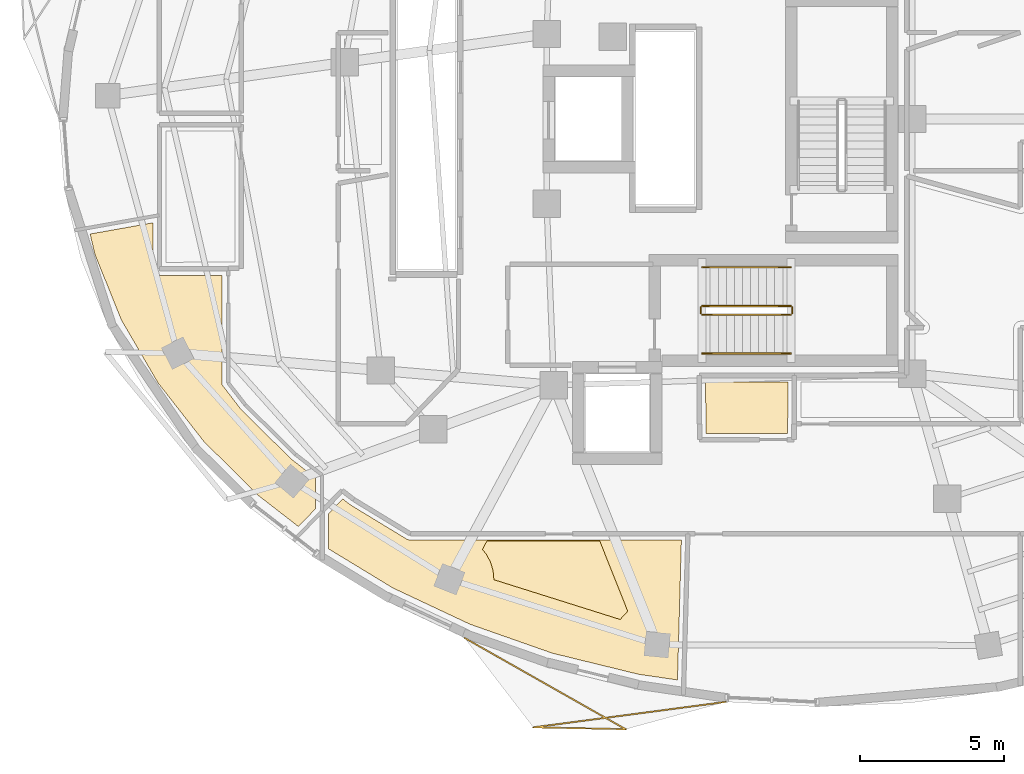
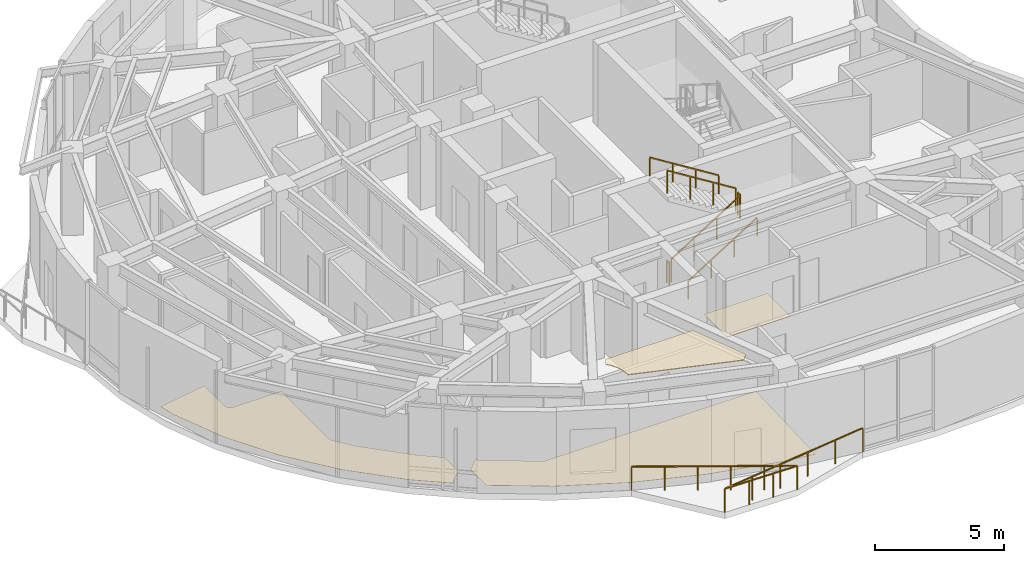
# One storey, part 11 of 14: 7 railings, 4 coverings.
"""IFC4 building model written with IfcOpenShell, lengths in metres."""

import ifcopenshell
import ifcopenshell.guid

model = None  # the IFC model being written
_history = None  # IfcOwnerHistory: only IFC2X3 demands one
_inside = {}  # id of a spatial element -> (the spatial element, [elements in it])
_under = {}  # id of a project, library or spatial element -> (it, [spatial elements below it])
_declared = {}  # id of a project -> (the project, [libraries it declares])
_typed = {}  # id of a type object -> (the type object, [elements of that type])
_made_of = {}  # id of a material, layer set ... -> (it, [elements and type objects made of it])


def new_model(schema):
    """Start an empty IFC model of exactly this schema.

    Asked for "IFC4X3", IfcOpenShell would pick the latest addendum, in which some entities
    have other attributes; the version numbers below select the first issue.
    IFC2X3 requires an IfcOwnerHistory on every rooted entity: one is made here for all.
    """
    global model, _history
    if schema == "IFC4X3":
        model = ifcopenshell.file(schema_version=(4, 3, 0, 0))
    else:
        model = ifcopenshell.file(schema=schema)
    _inside.clear()
    _under.clear()
    _declared.clear()
    _typed.clear()
    _made_of.clear()
    _history = None
    if model.schema == "IFC2X3":
        org = make("IfcOrganization", Name="unknown")
        user = make(
            "IfcPersonAndOrganization",
            ThePerson=make("IfcPerson", FamilyName="unknown"),
            TheOrganization=org,
        )
        app = make(
            "IfcApplication",
            ApplicationDeveloper=org,
            Version="unknown",
            ApplicationFullName="unknown",
            ApplicationIdentifier="unknown",
        )
        _history = make(
            "IfcOwnerHistory",
            OwningUser=user,
            OwningApplication=app,
            ChangeAction="ADDED",
            CreationDate=0,
        )
    return model


def make(cls, **values):
    """One entity of the class cls with the attributes given. An attribute that is None is left unset."""
    return model.create_entity(
        cls, **{name: value for name, value in values.items() if value is not None}
    )


def rooted(cls, **values):
    """An entity with a GlobalId (a new one), such as an element, a storey or a relation."""
    return make(cls, GlobalId=ifcopenshell.guid.new(), OwnerHistory=_history, **values)


def si_unit(unit_type, name, prefix=None):
    """IfcSIUnit, for example si_unit("LENGTHUNIT", "METRE", prefix="MILLI")."""
    return make("IfcSIUnit", UnitType=unit_type, Prefix=prefix, Name=name)


def assignment(units):
    """IfcUnitAssignment: the units of a project."""
    return None if units is None else make("IfcUnitAssignment", Units=units)


def point(xyz):
    """IfcCartesianPoint."""
    return None if xyz is None else make("IfcCartesianPoint", Coordinates=xyz)


def direction(xyz):
    """IfcDirection."""
    return None if xyz is None else make("IfcDirection", DirectionRatios=xyz)


def frame(location, z_axis=None, x_axis=None):
    """IfcAxis2Placement3D, a coordinate frame: its origin and axes. An axis left out is left unset."""
    return make(
        "IfcAxis2Placement3D",
        Location=point(location),
        Axis=direction(z_axis),
        RefDirection=direction(x_axis),
    )


def frame_2d(location, x_axis=None):
    """IfcAxis2Placement2D, a coordinate frame in the plane: its origin and x axis."""
    return make(
        "IfcAxis2Placement2D", Location=point(location), RefDirection=direction(x_axis)
    )


def origin():
    """The frame at (0, 0, 0) with its axes left unset."""
    return frame((0.0, 0.0, 0.0))


def origin_2d():
    """The frame at (0, 0) in the plane with its x axis left unset."""
    return frame_2d((0.0, 0.0))


def place(relative_to, where):
    """IfcLocalPlacement: puts the frame where relative to a parent placement (None: the world)."""
    return make(
        "IfcLocalPlacement", PlacementRelTo=relative_to, RelativePlacement=where
    )


def context(
    kind, dimensions, precision=None, world=None, true_north=None, identifier=None
):
    """IfcGeometricRepresentationContext, for example the 3D "Model" context."""
    return make(
        "IfcGeometricRepresentationContext",
        ContextIdentifier=identifier,
        ContextType=kind,
        CoordinateSpaceDimension=dimensions,
        Precision=precision,
        WorldCoordinateSystem=world,
        TrueNorth=true_north,
    )


def subcontext(parent, identifier, kind, view, scale=None):
    """IfcGeometricRepresentationSubContext, for example "Body" below "Model"."""
    return make(
        "IfcGeometricRepresentationSubContext",
        ContextIdentifier=identifier,
        ContextType=kind,
        ParentContext=parent,
        TargetScale=scale,
        TargetView=view,
    )


def project(units=None, contexts=None):
    """IfcProject with its units and contexts."""
    return rooted(
        "IfcProject",
        Name="project",
        RepresentationContexts=contexts,
        UnitsInContext=assignment(units),
    )


def spatial(cls, under=None, at=None, **own):
    """A site, building, storey or space (cls), placed at a placement, below another one or the project."""
    s = rooted(cls, ObjectPlacement=at, **own)
    if under is not None:
        _under.setdefault(under.id(), (under, []))[1].append(s)
    return s


def polyline(points):
    """IfcPolyline through the points."""
    return make("IfcPolyline", Points=[point(p) for p in points])


def profile(cls, at=None, kind="AREA", **sizes):
    """A parametric profile (cls). Its sizes go by their IFC names, for example OverallWidth=200.0."""
    return make(cls, ProfileType=kind, Position=at, **sizes)


def rectangle(**sizes):
    """IfcRectangleProfileDef."""
    return profile("IfcRectangleProfileDef", **sizes)


def outline(outer, holes=None, kind="AREA"):
    """IfcArbitraryClosedProfileDef: a profile drawn as a closed curve; with holes, ...WithVoids."""
    if holes is None:
        return make("IfcArbitraryClosedProfileDef", ProfileType=kind, OuterCurve=outer)
    return make(
        "IfcArbitraryProfileDefWithVoids",
        ProfileType=kind,
        OuterCurve=outer,
        InnerCurves=holes,
    )


def extrude(swept, where, along, depth):
    """IfcExtrudedAreaSolid: the profile swept, set in the frame where, extruded along a direction by depth."""
    return make(
        "IfcExtrudedAreaSolid",
        SweptArea=swept,
        Position=where,
        ExtrudedDirection=direction(along),
        Depth=depth,
    )


def shape(context_of_items, identifier, shape_type, items):
    """IfcShapeRepresentation: the items that make up one representation, for example the "Body"."""
    return make(
        "IfcShapeRepresentation",
        ContextOfItems=context_of_items,
        RepresentationIdentifier=identifier,
        RepresentationType=shape_type,
        Items=items,
    )


def material(Name=None, Category=None):
    """IfcMaterial."""
    return make("IfcMaterial", Name=Name, Category=Category)


def layer(
    of_material, thickness, ventilated=None, Name=None, Category=None, Priority=None
):
    """IfcMaterialLayer: one layer of a wall or slab, of a material (None: an air gap)."""
    return make(
        "IfcMaterialLayer",
        Material=of_material,
        LayerThickness=thickness,
        IsVentilated=ventilated,
        Name=Name,
        Category=Category,
        Priority=Priority,
    )


def layer_set(layers, Name=None):
    """IfcMaterialLayerSet."""
    return make("IfcMaterialLayerSet", MaterialLayers=layers, LayerSetName=Name)


def made_of(thing, what):
    """Note that an element or type object is made of a material, layer set ...; save() writes the relation."""
    if what is not None:
        _made_of.setdefault(what.id(), (what, []))[1].append(thing)
    return thing


def type_object(cls, material=None, **own):
    """A type object (cls), such as IfcWallType, which elements share."""
    return made_of(rooted(cls, **own), material)


def element(
    cls,
    number,
    at=None,
    inside=None,
    cuts=None,
    type_object=None,
    material=None,
    context=None,
    identifier="Body",
    shape_type=None,
    held_by="IfcProductDefinitionShape",
    body=None,
    shapes=None,
    **own,
):
    """One element of the class cls, such as IfcWall. Its Tag is "e" and its number.

    at: its placement. inside: the storey or other place that contains it. cuts: it is an
    opening in that element (IfcRelVoidsElement). A single representation is given by context,
    identifier, shape_type and body (its items); several are given by shapes. held_by: the class
    of the entity that holds the representations. save() writes the other relations.
    """
    e = rooted(cls, Tag="e%d" % number, ObjectPlacement=at, **own)
    if body is not None:
        shapes = [shape(context, identifier, shape_type, body)]
    if shapes is not None:
        e.Representation = make(held_by, Representations=shapes)
    if inside is not None:
        _inside.setdefault(inside.id(), (inside, []))[1].append(e)
    if cuts is not None:
        rooted(
            "IfcRelVoidsElement", RelatingBuildingElement=cuts, RelatedOpeningElement=e
        )
    if type_object is not None:
        _typed.setdefault(type_object.id(), (type_object, []))[1].append(e)
    return made_of(e, material)


def aggregate(whole, parts):
    """IfcRelAggregates: a whole, such as a stair, and the parts it consists of."""
    return rooted("IfcRelAggregates", RelatingObject=whole, RelatedObjects=parts)


def save(model, path):
    """Write the relations noted so far, then the file.

    IfcRelAggregates (storeys below a building ...), IfcRelContainedInSpatialStructure (elements
    in a storey), IfcRelDefinesByType, IfcRelAssociatesMaterial and IfcRelDeclares: one each for
    every whole, place, type object, material and project.
    """
    for whole, parts in _under.values():
        aggregate(whole, parts)
    for where, things in _inside.values():
        rooted(
            "IfcRelContainedInSpatialStructure",
            RelatedElements=things,
            RelatingStructure=where,
        )
    for kind, things in _typed.values():
        rooted("IfcRelDefinesByType", RelatedObjects=things, RelatingType=kind)
    for what, things in _made_of.values():
        rooted("IfcRelAssociatesMaterial", RelatedObjects=things, RelatingMaterial=what)
    for by, libraries in _declared.values():
        rooted("IfcRelDeclares", RelatingContext=by, RelatedDefinitions=libraries)
    model.write(path)


model = new_model("IFC4")

# Units and contexts
model_context = context("Model", 3, precision=1e-05, world=origin(), true_north=direction((0.0, 1.0)))
body_context = subcontext(model_context, "Body", "Model", "MODEL_VIEW")
ifc_project = project(units=[si_unit("LENGTHUNIT", "METRE"), si_unit("AREAUNIT", "SQUARE_METRE"), si_unit("VOLUMEUNIT", "CUBIC_METRE"), si_unit("PLANEANGLEUNIT", "RADIAN"), si_unit("MASSUNIT", "GRAM", prefix="KILO")], contexts=[model_context])

# Site, building, storey
site_placement = place(None, origin())
site = spatial("IfcSite", under=ifc_project, at=site_placement, CompositionType="ELEMENT")
building_placement = place(site_placement, origin())
building = spatial("IfcBuilding", under=site, at=building_placement, Name="Korentha Bioscience Tower", CompositionType="ELEMENT")
storey_placement = place(building_placement, frame((0.0, 0.0, 264.60009765625)))
storey = spatial("IfcBuildingStorey", under=building, at=storey_placement, Name="L61", CompositionType="ELEMENT", Elevation=264.60009765625)

# Railings
ifc_material_1 = material(Name="Stainless Steel 304", Category="steel")
railing_type_1 = type_object("IfcRailingType", Name="Brushed Stainless Stair Handrail 900", PredefinedType="HANDRAIL", material=ifc_material_1)
railing_1_placement = place(storey_placement, frame((30.25, 18.85009765625, 0.1748046875)))
element("IfcRailing", 1, at=railing_1_placement, inside=storey, type_object=railing_type_1, Name="L61 ST-2 stair handrail 1", PredefinedType="HANDRAIL", context=body_context, shape_type="SweptSolid", body=[
    extrude(rectangle(XDim=0.048095703125, YDim=0.048095703125, at=origin_2d()), frame((0.0, 0.0, 0.8759765625), z_axis=(0.847998304005, 0.0, 0.529998940003), x_axis=(0.0, 1.0, 0.0)), (0.0, 0.0, 1.0), 3.632080078125),
    extrude(rectangle(XDim=0.0419921875, YDim=0.0419921875, at=origin_2d()), origin(), (0.0, 0.0, 1.0), 0.851806640625),
    extrude(rectangle(XDim=0.0419921875, YDim=0.0419921875, at=origin_2d()), frame((1.026611328125, 0.0, 0.6416015625)), (0.0, 0.0, 1.0), 0.851806640625),
    extrude(rectangle(XDim=0.0419921875, YDim=0.0419921875, at=origin_2d()), frame((2.053466796875, 0.0, 1.283447265625)), (0.0, 0.0, 1.0), 0.851806640625),
    extrude(rectangle(XDim=0.0419921875, YDim=0.0419921875, at=origin_2d()), frame((3.080078125, 0.0, 1.925048828125)), (0.0, 0.0, 1.0), 0.851806640625),
])
railing_2_placement = place(storey_placement, frame((33.330078125, 21.85009765625, 2.27490234375)))
element("IfcRailing", 2, at=railing_2_placement, inside=storey, type_object=railing_type_1, Name="L61 ST-2 stair handrail 2", PredefinedType="HANDRAIL", context=body_context, shape_type="SweptSolid", body=[
    extrude(rectangle(XDim=0.048095703125, YDim=0.048095703125, at=origin_2d()), frame((0.0, 0.0, 0.8759765625), z_axis=(-0.847998304005, 0.0, 0.529998940003), x_axis=(0.0, -1.0, 0.0)), (0.0, 0.0, 1.0), 3.632080078125),
    extrude(rectangle(XDim=0.0419921875, YDim=0.0419921875, at=origin_2d()), origin(), (0.0, 0.0, 1.0), 0.851806640625),
    extrude(rectangle(XDim=0.0419921875, YDim=0.0419921875, at=origin_2d()), frame((-1.026611328125, 0.0, 0.6416015625)), (0.0, 0.0, 1.0), 0.851806640625),
    extrude(rectangle(XDim=0.0419921875, YDim=0.0419921875, at=origin_2d()), frame((-2.053466796875, 0.0, 1.283447265625)), (0.0, 0.0, 1.0), 0.851806640625),
    extrude(rectangle(XDim=0.0419921875, YDim=0.0419921875, at=origin_2d()), frame((-3.080078125, 0.0, 1.925048828125)), (0.0, 0.0, 1.0), 0.851806640625),
])
ifc_material_2 = material(Name="Laminated Tempered Safety Glass", Category="glass")
railing_type_2 = type_object("IfcRailingType", Name="Laminated Glass Balcony Guardrail 1150", PredefinedType="BALUSTRADE", material=ifc_material_2)
railing_3_placement = place(storey_placement, frame((21.99609375, 8.9755859375, 0.0)))
element("IfcRailing", 3, at=railing_3_placement, inside=storey, type_object=railing_type_2, Name="L61 Balcony Guardrail 03", PredefinedType="BALUSTRADE", context=body_context, shape_type="SweptSolid", body=[
    extrude(rectangle(XDim=0.048095703125, YDim=0.048095703125, at=origin_2d()), frame((0.0, 0.0, 1.1259765625), z_axis=(0.869989088805, -0.493070973958, 0.0), x_axis=(0.493070973958, 0.869989088805, 0.0)), (0.0, 0.0, 1.0), 6.433837890625),
    extrude(rectangle(XDim=0.048095703125, YDim=0.048095703125, at=origin_2d()), frame((5.597412109375, -3.17236328125, 1.1259765625), z_axis=(-0.99979651371, 0.02017253511, 0.0), x_axis=(-0.02017253511, -0.99979651371, 0.0)), (0.0, 0.0, 1.0), 3.207275390625),
    extrude(rectangle(XDim=0.048095703125, YDim=0.048095703125, at=origin_2d()), frame((2.390869140625, -3.107666015625, 1.1259765625), z_axis=(0.991352342191, 0.131227030873, 0.0), x_axis=(-0.131227030873, 0.991352342191, 0.0)), (0.0, 0.0, 1.0), 6.744140625),
    extrude(rectangle(XDim=0.0419921875, YDim=0.0419921875, at=origin_2d()), origin(), (0.0, 0.0, 1.0), 1.101806640625),
    extrude(rectangle(XDim=0.0419921875, YDim=0.0419921875, at=origin_2d()), frame((1.119384765625, -0.634521484375, 0.0)), (0.0, 0.0, 1.0), 1.101806640625),
    extrude(rectangle(XDim=0.0419921875, YDim=0.0419921875, at=origin_2d()), frame((2.239013671875, -1.26904296875, 0.0)), (0.0, 0.0, 1.0), 1.101806640625),
    extrude(rectangle(XDim=0.0419921875, YDim=0.0419921875, at=origin_2d()), frame((3.3583984375, -1.9033203125, 0.0)), (0.0, 0.0, 1.0), 1.101806640625),
    extrude(rectangle(XDim=0.0419921875, YDim=0.0419921875, at=origin_2d()), frame((4.47802734375, -2.537841796875, 0.0)), (0.0, 0.0, 1.0), 1.101806640625),
    extrude(rectangle(XDim=0.0419921875, YDim=0.0419921875, at=origin_2d()), frame((5.597412109375, -3.17236328125, 0.0)), (0.0, 0.0, 1.0), 1.101806640625),
    extrude(rectangle(XDim=0.0419921875, YDim=0.0419921875, at=origin_2d()), frame((4.528564453125, -3.15087890625, 0.0)), (0.0, 0.0, 1.0), 1.101806640625),
    extrude(rectangle(XDim=0.0419921875, YDim=0.0419921875, at=origin_2d()), frame((3.459716796875, -3.129150390625, 0.0)), (0.0, 0.0, 1.0), 1.101806640625),
    extrude(rectangle(XDim=0.0419921875, YDim=0.0419921875, at=origin_2d()), frame((2.390869140625, -3.107666015625, 0.0)), (0.0, 0.0, 1.0), 1.101806640625),
    extrude(rectangle(XDim=0.0419921875, YDim=0.0419921875, at=origin_2d()), frame((3.72802734375, -2.9306640625, 0.0)), (0.0, 0.0, 1.0), 1.101806640625),
    extrude(rectangle(XDim=0.0419921875, YDim=0.0419921875, at=origin_2d()), frame((5.065185546875, -2.753662109375, 0.0)), (0.0, 0.0, 1.0), 1.101806640625),
    extrude(rectangle(XDim=0.0419921875, YDim=0.0419921875, at=origin_2d()), frame((6.40234375, -2.57666015625, 0.0)), (0.0, 0.0, 1.0), 1.101806640625),
    extrude(rectangle(XDim=0.0419921875, YDim=0.0419921875, at=origin_2d()), frame((7.739501953125, -2.399658203125, 0.0)), (0.0, 0.0, 1.0), 1.101806640625),
    extrude(rectangle(XDim=0.0419921875, YDim=0.0419921875, at=origin_2d()), frame((9.07666015625, -2.22265625, 0.0)), (0.0, 0.0, 1.0), 1.101806640625),
])

# Covering
ifc_material_3 = material(Name="Antimicrobial Mineral Fibre Board", Category="gypsum")
ifc_layer_1 = layer(ifc_material_3, 0.034912109375, Name="Antimicrobial Mineral Fibre Board")
ifc_layer_set_1 = layer_set([ifc_layer_1], Name="Antimicrobial Mineral Fibre Board (CL-MF35)")
covering_type_1 = type_object("IfcCoveringType", Name="Mineral-Fibre Cleanroom Suspended Ceiling 35", PredefinedType="CEILING", material=ifc_layer_set_1)
covering_1_placement = place(storey_placement, frame((0.0, 0.0, 3.864990234375)))
element("IfcCovering", 4, at=covering_1_placement, inside=storey, type_object=covering_type_1, Name="L61 Staff Pantry Kitchenette 03 Acoustic Ceiling", PredefinedType="CEILING", context=body_context, shape_type="SweptSolid", body=[
    extrude(outline(polyline([(27.665283203125, 9.90185546875), (27.48974609375, 9.72265625), (27.408935546875, 9.613525390625), (23.017578125, 10.996826171875), (22.988525390625, 11.316162109375), (22.900390625, 11.60693359375), (22.757080078125, 11.874755859375), (22.6181640625, 12.050537109375), (22.774169921875, 12.340087890625), (26.694580078125, 12.340087890625), (27.665283203125, 9.90185546875)])), origin(), (0.0, 0.0, 1.0), 0.034912109375),
])

# Railings
ifc_material_4 = material(Name="Painted Steel S275", Category="steel")
railing_type_3 = type_object("IfcRailingType", Name="Painted Steel Stair Well Guardrail 1100", PredefinedType="GUARDRAIL", material=ifc_material_4)
railing_4_placement = place(storey_placement, frame((30.25, 20.199951171875, 0.1748046875)))
element("IfcRailing", 5, at=railing_4_placement, inside=storey, type_object=railing_type_3, Name="L61 ST-2 stair guard 1", PredefinedType="GUARDRAIL", context=body_context, shape_type="SweptSolid", body=[
    extrude(rectangle(XDim=0.048095703125, YDim=0.048095703125, at=origin_2d()), frame((0.0, 0.0, 1.076171875), z_axis=(0.847998304005, 0.0, 0.529998940003), x_axis=(0.0, 1.0, 0.0)), (0.0, 0.0, 1.0), 3.632080078125),
    extrude(rectangle(XDim=0.0419921875, YDim=0.0419921875, at=origin_2d()), origin(), (0.0, 0.0, 1.0), 1.052001953125),
    extrude(rectangle(XDim=0.0419921875, YDim=0.0419921875, at=origin_2d()), frame((1.026611328125, 0.0, 0.6416015625)), (0.0, 0.0, 1.0), 1.052001953125),
    extrude(rectangle(XDim=0.0419921875, YDim=0.0419921875, at=origin_2d()), frame((2.053466796875, 0.0, 1.283447265625)), (0.0, 0.0, 1.0), 1.052001953125),
    extrude(rectangle(XDim=0.0419921875, YDim=0.0419921875, at=origin_2d()), frame((3.080078125, 0.0, 1.925048828125)), (0.0, 0.0, 1.0), 1.052001953125),
])
railing_5_placement = place(storey_placement, frame((33.3798828125, 20.25, 2.099853515625)))
element("IfcRailing", 6, at=railing_5_placement, inside=storey, type_object=railing_type_3, Name="L61 ST-2 stair guard 2", PredefinedType="GUARDRAIL", context=body_context, shape_type="SweptSolid", body=[
    extrude(rectangle(XDim=0.048095703125, YDim=0.048095703125, at=origin_2d()), frame((0.0, 0.0, 1.076171875), z_axis=(0.0, 1.0, 0.0), x_axis=(-1.0, 0.0, 0.0)), (0.0, 0.0, 1.0), 0.199951171875),
    extrude(rectangle(XDim=0.0419921875, YDim=0.0419921875, at=origin_2d()), origin(), (0.0, 0.0, 1.0), 1.052001953125),
    extrude(rectangle(XDim=0.0419921875, YDim=0.0419921875, at=origin_2d()), frame((0.0, 0.199951171875, 0.0)), (0.0, 0.0, 1.0), 1.052001953125),
])
railing_6_placement = place(storey_placement, frame((33.330078125, 20.5, 2.27490234375)))
element("IfcRailing", 7, at=railing_6_placement, inside=storey, type_object=railing_type_3, Name="L61 ST-2 stair guard 3", PredefinedType="GUARDRAIL", context=body_context, shape_type="SweptSolid", body=[
    extrude(rectangle(XDim=0.048095703125, YDim=0.048095703125, at=origin_2d()), frame((0.0, 0.0, 1.076171875), z_axis=(-0.847998304005, 0.0, 0.529998940003), x_axis=(0.0, -1.0, 0.0)), (0.0, 0.0, 1.0), 3.632080078125),
    extrude(rectangle(XDim=0.0419921875, YDim=0.0419921875, at=origin_2d()), origin(), (0.0, 0.0, 1.0), 1.052001953125),
    extrude(rectangle(XDim=0.0419921875, YDim=0.0419921875, at=origin_2d()), frame((-1.026611328125, 0.0, 0.6416015625)), (0.0, 0.0, 1.0), 1.052001953125),
    extrude(rectangle(XDim=0.0419921875, YDim=0.0419921875, at=origin_2d()), frame((-2.053466796875, 0.0, 1.283447265625)), (0.0, 0.0, 1.0), 1.052001953125),
    extrude(rectangle(XDim=0.0419921875, YDim=0.0419921875, at=origin_2d()), frame((-3.080078125, 0.0, 1.925048828125)), (0.0, 0.0, 1.0), 1.052001953125),
])
railing_7_placement = place(storey_placement, frame((30.199951171875, 20.25, 0.0)))
element("IfcRailing", 8, at=railing_7_placement, inside=storey, type_object=railing_type_3, Name="L61 ST-2 stair guard 4", PredefinedType="GUARDRAIL", context=body_context, shape_type="SweptSolid", body=[
    extrude(rectangle(XDim=0.048095703125, YDim=0.048095703125, at=origin_2d()), frame((0.0, 0.0, 1.076171875), z_axis=(0.0, 1.0, 0.0), x_axis=(-1.0, 0.0, 0.0)), (0.0, 0.0, 1.0), 0.199951171875),
    extrude(rectangle(XDim=0.0419921875, YDim=0.0419921875, at=origin_2d()), origin(), (0.0, 0.0, 1.0), 1.052001953125),
    extrude(rectangle(XDim=0.0419921875, YDim=0.0419921875, at=origin_2d()), frame((0.0, 0.199951171875, 0.0)), (0.0, 0.0, 1.0), 1.052001953125),
])

# Coverings
ifc_material_5 = material(Name="Chemical-Resistant Epoxy Resin", Category="polymer")
ifc_layer_2 = layer(ifc_material_5, 0.011962890625, Name="Chemical-Resistant Epoxy Resin")
ifc_layer_set_2 = layer_set([ifc_layer_2], Name="Chemical-Resistant Epoxy Resin (FL-EPX)")
covering_type_2 = type_object("IfcCoveringType", Name="Seamless Epoxy Laboratory Flooring 12", PredefinedType="FLOORING", material=ifc_layer_set_2)
covering_2_placement = place(storey_placement, origin())
element("IfcCovering", 9, at=covering_2_placement, inside=storey, type_object=covering_type_2, Name="L61 Core Instrumentation and Gas Store Floor Finish", PredefinedType="FLOORING", context=body_context, shape_type="SweptSolid", body=[
    extrude(outline(polyline([(33.22998046875, 17.8701171875), (33.219970703125, 16.080078125), (30.3798828125, 16.080078125), (30.371337890625, 17.8701171875), (33.22998046875, 17.8701171875)])), origin(), (0.0, 0.0, 1.0), 0.011962890625),
])
covering_3_placement = place(storey_placement, origin())
element("IfcCovering", 10, at=covering_3_placement, inside=storey, type_object=covering_type_2, Name="L61 Principal Investigator Office 01 Floor Finish", PredefinedType="FLOORING", context=body_context, shape_type="SweptSolid", body=[
    extrude(outline(polyline([(11.169921875, 23.39208984375), (11.17041015625, 21.7880859375), (11.202392578125, 21.68212890625), (11.2626953125, 21.615478515625), (11.39990234375, 21.570068359375), (13.570068359375, 21.570068359375), (13.570068359375, 17.835205078125), (13.58251953125, 17.7607421875), (14.22900390625, 16.916015625), (15.982421875, 15.18408203125), (16.827880859375, 14.5283203125), (16.827880859375, 13.466796875), (16.227783203125, 12.843017578125), (14.860595703125, 13.902099609375), (12.9462890625, 15.79345703125), (11.344482421875, 17.8427734375), (10.076904296875, 20.0205078125), (9.160400390625, 22.293212890625), (8.991943359375, 23.00390625), (11.169921875, 23.39208984375)])), origin(), (0.0, 0.0, 1.0), 0.011962890625),
])
covering_4_placement = place(storey_placement, origin())
element("IfcCovering", 11, at=covering_4_placement, inside=storey, type_object=covering_type_2, Name="L61 Staff Pantry Kitchenette 03 Floor Finish", PredefinedType="FLOORING", context=body_context, shape_type="SweptSolid", body=[
    extrude(outline(polyline([(17.766357421875, 13.801513671875), (18.037109375, 13.593505859375), (19.99462890625, 12.403564453125), (20.083251953125, 12.3720703125), (29.52880859375, 12.3701171875), (29.39306640625, 7.51416015625), (28.0361328125, 7.712890625), (25.043701171875, 8.445556640625), (22.189697265625, 9.447998046875), (19.515625, 10.705078125), (17.27197265625, 12.069091796875), (17.27197265625, 13.28759765625), (17.766357421875, 13.801513671875)])), origin(), (0.0, 0.0, 1.0), 0.011962890625),
])

save(model, "model.ifc")
